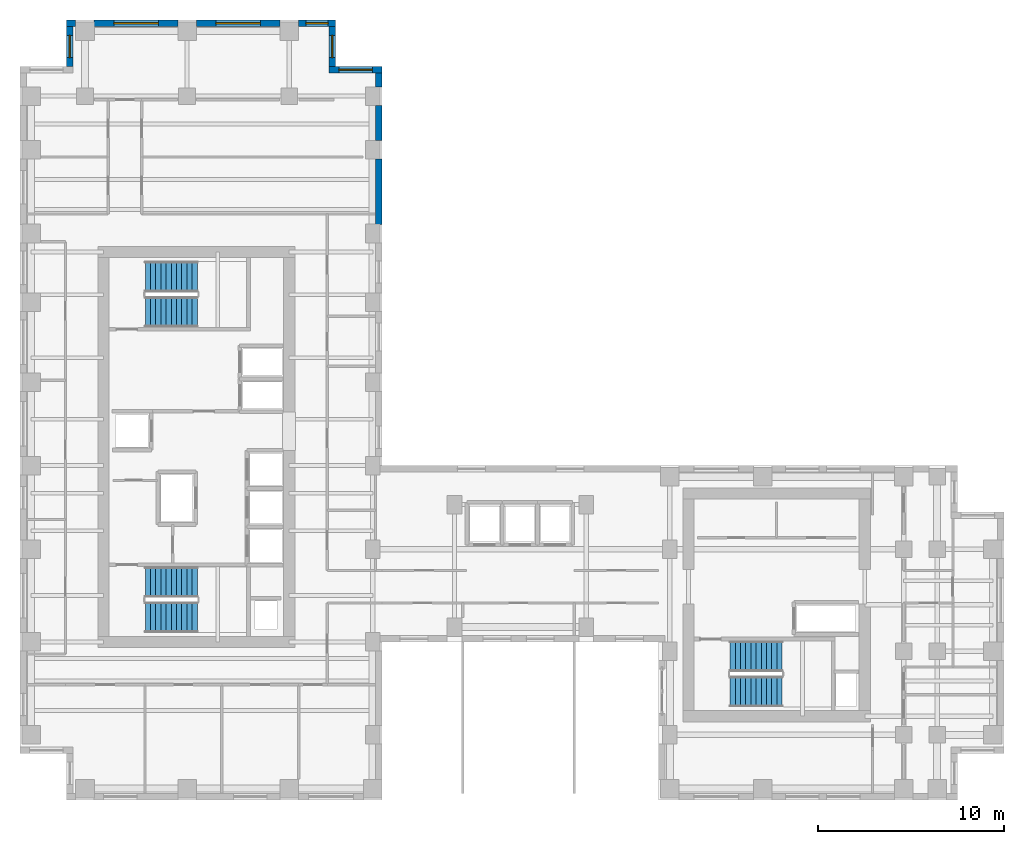
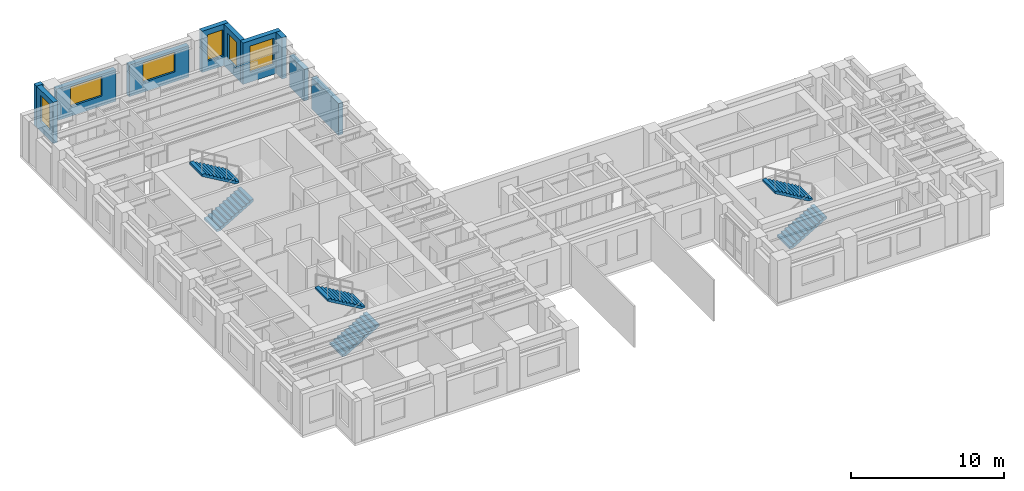
# One storey, part 10 of 12: 10 walls, 6 stair flights, 6 windows, 6 openings, 3 elements without a shape of their own.
"""IFC4 building model written with IfcOpenShell, lengths in metres."""

from ifc_helpers import new_model, si_unit, direction, frame, frame_2d, origin, place, context, subcontext, project, spatial, polyline, rectangle, outline, extrude, source, transform, mapped, material, layer, layer_set, type_object, element, fill, aggregate, save


model = new_model("IFC4")

# Units and contexts
model_context = context("Model", 3, precision=1e-05, world=origin(), true_north=direction((0.0, 1.0)))
body_context = subcontext(model_context, "Body", "Model", "MODEL_VIEW")
ifc_project = project(units=[si_unit("LENGTHUNIT", "METRE"), si_unit("AREAUNIT", "SQUARE_METRE"), si_unit("VOLUMEUNIT", "CUBIC_METRE"), si_unit("PLANEANGLEUNIT", "RADIAN"), si_unit("MASSUNIT", "GRAM", prefix="KILO")], contexts=[model_context])

# Site, building, storey
site_placement = place(None, origin())
site = spatial("IfcSite", under=ifc_project, at=site_placement, CompositionType="ELEMENT")
building_placement = place(site_placement, origin())
building = spatial("IfcBuilding", under=site, at=building_placement, Name="Kharzan Plaza Tower", CompositionType="ELEMENT")
storey_placement = place(building_placement, frame((0.0, 0.0, 204.300048828125)))
storey = spatial("IfcBuildingStorey", under=building, at=storey_placement, Name="L55", CompositionType="ELEMENT", Elevation=204.300048828125)

# Wall, opening, window
ifc_material_1 = material(Name="Concrete C40/50", Category="concrete")
ifc_layer = layer(ifc_material_1, 0.35009765625)
ifc_layer_set = layer_set([ifc_layer], Name="Concrete C40/50")
wall_type = type_object("IfcWallType", Name="WL-EXT-MAS-Z3", PredefinedType="SOLIDWALL", material=ifc_layer_set)
wall_1_placement = place(storey_placement, frame((19.5, 39.324951171875, 0.0), z_axis=(0.0, 0.0, 1.0), x_axis=(-1.0, 0.0, 0.0)))
wall_1 = element("IfcWall", 1, at=wall_1_placement, inside=storey, type_object=wall_type, Name="L55 Masonry-Frame Exterior Wall 01", PredefinedType="SOLIDWALL", context=body_context, shape_type="SweptSolid", body=[
    extrude(rectangle(XDim=2.85009765625, YDim=0.35009765625, at=frame_2d((1.425048828125, 0.0))), origin(), (0.0, 0.0, 1.0), 3.304931640625),
])
opening_1_placement = place(wall_1_placement, frame((0.52490234375, 0.0, 0.780029296875)))
opening_1 = element("IfcOpeningElement", 2, at=opening_1_placement, cuts=wall_1, Name="Opening W1", PredefinedType="OPENING", context=body_context, shape_type="SweptSolid", body=[
    extrude(rectangle(XDim=1.800048828125, YDim=2.10009765625, at=frame_2d((0.89990234375, 1.050048828125))), frame((0.0, 0.18505859375, 0.0), z_axis=(0.0, -1.0, 0.0), x_axis=(1.0, 0.0, 0.0)), (0.0, 0.0, 1.0), 0.3701171875),
])
ifc_material_2 = material(Name="Low-E Double Glazing", Category="glass")
window_type_1 = type_object("IfcWindowType", Name="WN-REC-1800x2100", PartitioningType="SINGLE_PANEL", PredefinedType="WINDOW", material=ifc_material_2)
shared_shape_1 = source(origin(), body_context, "Body", "SweptSolid", [
    extrude(rectangle(XDim=1.800048828125, YDim=2.10009765625, at=frame_2d((0.89990234375, 1.050048828125))), frame((0.0, 0.030029296875, 0.0), z_axis=(0.0, -1.0, 0.0), x_axis=(1.0, 0.0, 0.0)), (0.0, 0.0, 1.0), 0.06005859375),
])
window_1_placement = place(opening_1_placement, origin())
window_1 = element("IfcWindow", 3, at=window_1_placement, inside=storey, type_object=window_type_1, Name="L55 Recessed Solar-Control Window 01-1", OverallHeight=2.10009765625, OverallWidth=1.800048828125, PartitioningType="SINGLE_PANEL", PredefinedType="WINDOW", context=body_context, shape_type="MappedRepresentation", body=[
    mapped(shared_shape_1, transform((0.0, 0.0, 0.0), x_axis=(1.0, 0.0, 0.0), y_axis=(0.0, 1.0, 0.0), z_axis=(0.0, 0.0, 1.0))),
])
fill(opening_1, window_1)

wall_2_placement = place(storey_placement, frame((16.824951171875, 39.498046875, 0.0), z_axis=(0.0, 0.0, 1.0), x_axis=(0.0, 1.0, 0.0)))
wall_2 = element("IfcWall", 4, at=wall_2_placement, inside=storey, type_object=wall_type, Name="L55 Masonry-Frame Exterior Wall 02", PredefinedType="SOLIDWALL", context=body_context, shape_type="SweptSolid", body=[
    extrude(rectangle(XDim=2.154052734375, YDim=0.35009765625, at=frame_2d((1.0771484375, 0.0))), origin(), (0.0, 0.0, 1.0), 3.304931640625),
])
opening_2_placement = place(wall_2_placement, frame((0.47705078125, 0.0, 0.780029296875)))
opening_2 = element("IfcOpeningElement", 5, at=opening_2_placement, cuts=wall_2, Name="Opening W3", PredefinedType="OPENING", context=body_context, shape_type="SweptSolid", body=[
    extrude(rectangle(XDim=1.199951171875, YDim=2.10009765625, at=frame_2d((0.60009765625, 1.050048828125))), frame((0.0, 0.18505859375, 0.0), z_axis=(0.0, -1.0, 0.0), x_axis=(1.0, 0.0, 0.0)), (0.0, 0.0, 1.0), 0.3701171875),
])
window_type_2 = type_object("IfcWindowType", Name="WN-REC-1200x2100", PartitioningType="SINGLE_PANEL", PredefinedType="WINDOW", material=ifc_material_2)
shared_shape_2 = source(origin(), body_context, "Body", "SweptSolid", [
    extrude(rectangle(XDim=1.199951171875, YDim=2.10009765625, at=frame_2d((0.60009765625, 1.050048828125))), frame((0.0, 0.030029296875, 0.0), z_axis=(0.0, -1.0, 0.0), x_axis=(1.0, 0.0, 0.0)), (0.0, 0.0, 1.0), 0.06005859375),
])
window_2_placement = place(opening_2_placement, origin())
window_2 = element("IfcWindow", 6, at=window_2_placement, inside=storey, type_object=window_type_2, Name="L55 Recessed Solar-Control Window 02-1", OverallHeight=2.10009765625, OverallWidth=1.199951171875, PartitioningType="SINGLE_PANEL", PredefinedType="WINDOW", context=body_context, shape_type="MappedRepresentation", body=[
    mapped(shared_shape_2, transform((0.0, 0.0, 0.0), x_axis=(1.0, 0.0, 0.0), y_axis=(0.0, 1.0, 0.0), z_axis=(0.0, 0.0, 1.0))),
])
fill(opening_2, window_2)

wall_3_placement = place(storey_placement, frame((17.0, 41.824951171875, 0.0), z_axis=(0.0, 0.0, 1.0), x_axis=(-1.0, 0.0, 0.0)))
wall_3 = element("IfcWall", 7, at=wall_3_placement, inside=storey, type_object=wall_type, Name="L55 Masonry-Frame Exterior Wall 03", PredefinedType="SOLIDWALL", context=body_context, shape_type="SweptSolid", body=[
    extrude(rectangle(XDim=2.001953125, YDim=0.35009765625, at=frame_2d((1.0009765625, 0.0))), origin(), (0.0, 0.0, 1.0), 3.304931640625),
])
opening_3_placement = place(wall_3_placement, frame((0.40087890625, 0.0, 0.780029296875)))
opening_3 = element("IfcOpeningElement", 8, at=opening_3_placement, cuts=wall_3, Name="Opening W3", PredefinedType="OPENING", context=body_context, shape_type="SweptSolid", body=[
    extrude(rectangle(XDim=1.199951171875, YDim=2.10009765625, at=frame_2d((0.60009765625, 1.050048828125))), frame((0.0, 0.18505859375, 0.0), z_axis=(0.0, -1.0, 0.0), x_axis=(1.0, 0.0, 0.0)), (0.0, 0.0, 1.0), 0.3701171875),
])
window_3_placement = place(opening_3_placement, origin())
window_3 = element("IfcWindow", 9, at=window_3_placement, inside=storey, type_object=window_type_2, Name="L55 Recessed Solar-Control Window 03-1", OverallHeight=2.10009765625, OverallWidth=1.199951171875, PartitioningType="SINGLE_PANEL", PredefinedType="WINDOW", context=body_context, shape_type="MappedRepresentation", body=[
    mapped(shared_shape_2, transform((0.0, 0.0, 0.0), x_axis=(1.0, 0.0, 0.0), y_axis=(0.0, 1.0, 0.0), z_axis=(0.0, 0.0, 1.0))),
])
fill(opening_3, window_3)

wall_4_placement = place(storey_placement, frame((14.001953125, 41.824951171875, 0.0), z_axis=(0.0, 0.0, 1.0), x_axis=(-1.0, 0.0, 0.0)))
wall_4 = element("IfcWall", 10, at=wall_4_placement, inside=storey, type_object=wall_type, Name="L55 Masonry-Frame Exterior Wall 04", PredefinedType="SOLIDWALL", context=body_context, shape_type="SweptSolid", body=[
    extrude(rectangle(XDim=4.50390625, YDim=0.35009765625, at=frame_2d((2.251953125, 0.0))), origin(), (0.0, 0.0, 1.0), 2.531982421875),
])
opening_4_placement = place(wall_4_placement, frame((1.052001953125, 0.0, 0.780029296875)))
opening_4 = element("IfcOpeningElement", 11, at=opening_4_placement, cuts=wall_4, Name="Opening W2", PredefinedType="OPENING", context=body_context, shape_type="SweptSolid", body=[
    extrude(rectangle(XDim=2.39990234375, YDim=1.572021484375, at=frame_2d((1.199951171875, 0.7861328125))), frame((0.0, 0.18505859375, 0.0), z_axis=(0.0, -1.0, 0.0), x_axis=(1.0, 0.0, 0.0)), (0.0, 0.0, 1.0), 0.3701171875),
])
window_type_3 = type_object("IfcWindowType", Name="WN-REC-2400x2100", PartitioningType="SINGLE_PANEL", PredefinedType="WINDOW", material=ifc_material_2)
shared_shape_3 = source(origin(), body_context, "Body", "SweptSolid", [
    extrude(rectangle(XDim=2.39990234375, YDim=1.572021484375, at=frame_2d((1.199951171875, 0.7861328125))), frame((0.0, 0.030029296875, 0.0), z_axis=(0.0, -1.0, 0.0), x_axis=(1.0, 0.0, 0.0)), (0.0, 0.0, 1.0), 0.06005859375),
])
window_4_placement = place(opening_4_placement, origin())
window_4 = element("IfcWindow", 12, at=window_4_placement, inside=storey, type_object=window_type_3, Name="L55 Wide Recessed Solar-Control Window 04-1", OverallHeight=1.572021484375, OverallWidth=2.39990234375, PartitioningType="SINGLE_PANEL", PredefinedType="WINDOW", context=body_context, shape_type="MappedRepresentation", body=[
    mapped(shared_shape_3, transform((0.0, 0.0, 0.0), x_axis=(1.0, 0.0, 0.0), y_axis=(0.0, 1.0, 0.0), z_axis=(0.0, 0.0, 1.0))),
])
fill(opening_4, window_4)

wall_5_placement = place(storey_placement, frame((8.501953125, 41.824951171875, 0.0), z_axis=(0.0, 0.0, 1.0), x_axis=(-1.0, 0.0, 0.0)))
wall_5 = element("IfcWall", 13, at=wall_5_placement, inside=storey, type_object=wall_type, Name="L55 Masonry-Frame Exterior Wall 05", PredefinedType="SOLIDWALL", context=body_context, shape_type="SweptSolid", body=[
    extrude(rectangle(XDim=4.50390625, YDim=0.35009765625, at=frame_2d((2.251953125, 0.0))), origin(), (0.0, 0.0, 1.0), 2.531982421875),
])
opening_5_placement = place(wall_5_placement, frame((1.052001953125, 0.0, 0.780029296875)))
opening_5 = element("IfcOpeningElement", 14, at=opening_5_placement, cuts=wall_5, Name="Opening W2", PredefinedType="OPENING", context=body_context, shape_type="SweptSolid", body=[
    extrude(rectangle(XDim=2.39990234375, YDim=1.572021484375, at=frame_2d((1.199951171875, 0.7861328125))), frame((0.0, 0.18505859375, 0.0), z_axis=(0.0, -1.0, 0.0), x_axis=(1.0, 0.0, 0.0)), (0.0, 0.0, 1.0), 0.3701171875),
])
window_5_placement = place(opening_5_placement, origin())
window_5 = element("IfcWindow", 15, at=window_5_placement, inside=storey, type_object=window_type_3, Name="L55 Wide Recessed Solar-Control Window 05-1", OverallHeight=1.572021484375, OverallWidth=2.39990234375, PartitioningType="SINGLE_PANEL", PredefinedType="WINDOW", context=body_context, shape_type="MappedRepresentation", body=[
    mapped(shared_shape_3, transform((0.0, 0.0, 0.0), x_axis=(1.0, 0.0, 0.0), y_axis=(0.0, 1.0, 0.0), z_axis=(0.0, 0.0, 1.0))),
])
fill(opening_5, window_5)

wall_6_placement = place(storey_placement, frame((2.675048828125, 41.652099609375, 0.0), z_axis=(0.0, 0.0, 1.0), x_axis=(0.0, -1.0, 0.0)))
wall_6 = element("IfcWall", 16, at=wall_6_placement, inside=storey, type_object=wall_type, Name="L55 Masonry-Frame Exterior Wall 07", PredefinedType="SOLIDWALL", context=body_context, shape_type="SweptSolid", body=[
    extrude(rectangle(XDim=2.154052734375, YDim=0.35009765625, at=frame_2d((1.0771484375, 0.0))), origin(), (0.0, 0.0, 1.0), 3.304931640625),
])
opening_6_placement = place(wall_6_placement, frame((0.47705078125, 0.0, 0.780029296875)))
opening_6 = element("IfcOpeningElement", 17, at=opening_6_placement, cuts=wall_6, Name="Opening W3", PredefinedType="OPENING", context=body_context, shape_type="SweptSolid", body=[
    extrude(rectangle(XDim=1.199951171875, YDim=2.10009765625, at=frame_2d((0.60009765625, 1.050048828125))), frame((0.0, 0.18505859375, 0.0), z_axis=(0.0, -1.0, 0.0), x_axis=(1.0, 0.0, 0.0)), (0.0, 0.0, 1.0), 0.3701171875),
])
window_6_placement = place(opening_6_placement, origin())
window_6 = element("IfcWindow", 18, at=window_6_placement, inside=storey, type_object=window_type_2, Name="L55 Recessed Solar-Control Window 07-1", OverallHeight=2.10009765625, OverallWidth=1.199951171875, PartitioningType="SINGLE_PANEL", PredefinedType="WINDOW", context=body_context, shape_type="MappedRepresentation", body=[
    mapped(shared_shape_2, transform((0.0, 0.0, 0.0), x_axis=(1.0, 0.0, 0.0), y_axis=(0.0, 1.0, 0.0), z_axis=(0.0, 0.0, 1.0))),
])
fill(opening_6, window_6)

# Walls
shared_shape_4 = source(origin(), body_context, "Body", "SweptSolid", [
    extrude(rectangle(XDim=0.501953125, YDim=0.35009765625, at=frame_2d((0.2509765625, 0.0))), origin(), (0.0, 0.0, 1.0), 3.304931640625),
])
wall_7_placement = place(storey_placement, frame((3.001953125, 41.824951171875, 0.0), z_axis=(0.0, 0.0, 1.0), x_axis=(-1.0, 0.0, 0.0)))
element("IfcWall", 19, at=wall_7_placement, inside=storey, type_object=wall_type, Name="L55 Masonry-Frame Exterior Wall 06", PredefinedType="SOLIDWALL", context=body_context, shape_type="MappedRepresentation", body=[
    mapped(shared_shape_4, transform((0.0, 0.0, 0.0), x_axis=(1.0, 0.0, 0.0), y_axis=(0.0, 1.0, 0.0), z_axis=(0.0, 0.0, 1.0))),
])
shared_shape_5 = source(origin(), body_context, "Body", "SweptSolid", [
    extrude(rectangle(XDim=0.754150390625, YDim=0.35009765625, at=frame_2d((0.376953125, 0.0))), origin(), (0.0, 0.0, 1.0), 3.304931640625),
])
wall_8_placement = place(storey_placement, frame((19.324951171875, 38.39794921875, 0.0), z_axis=(0.0, 0.0, 1.0), x_axis=(0.0, 1.0, 0.0)))
element("IfcWall", 20, at=wall_8_placement, inside=storey, type_object=wall_type, Name="L55 Masonry-Frame Exterior Wall 53", PredefinedType="SOLIDWALL", context=body_context, shape_type="MappedRepresentation", body=[
    mapped(shared_shape_5, transform((0.0, 0.0, 0.0), x_axis=(1.0, 0.0, 0.0), y_axis=(0.0, 1.0, 0.0), z_axis=(0.0, 0.0, 1.0))),
])
shared_shape_6 = source(origin(), body_context, "Body", "SweptSolid", [
    extrude(rectangle(XDim=1.904052734375, YDim=0.35009765625, at=frame_2d((0.9521484375, 0.0))), origin(), (0.0, 0.0, 1.0), 2.531982421875),
])
wall_9_placement = place(storey_placement, frame((19.324951171875, 35.498046875, 0.0), z_axis=(0.0, 0.0, 1.0), x_axis=(0.0, 1.0, 0.0)))
element("IfcWall", 21, at=wall_9_placement, inside=storey, type_object=wall_type, Name="L55 Masonry-Frame Exterior Wall 52", PredefinedType="SOLIDWALL", context=body_context, shape_type="MappedRepresentation", body=[
    mapped(shared_shape_6, transform((0.0, 0.0, 0.0), x_axis=(1.0, 0.0, 0.0), y_axis=(0.0, 1.0, 0.0), z_axis=(0.0, 0.0, 1.0))),
])
shared_shape_7 = source(origin(), body_context, "Body", "SweptSolid", [
    extrude(rectangle(XDim=3.50390625, YDim=0.35009765625, at=frame_2d((1.751953125, 0.0))), origin(), (0.0, 0.0, 1.0), 2.531982421875),
])
wall_10_placement = place(storey_placement, frame((19.324951171875, 30.998046875, 0.0), z_axis=(0.0, 0.0, 1.0), x_axis=(0.0, 1.0, 0.0)))
element("IfcWall", 22, at=wall_10_placement, inside=storey, type_object=wall_type, Name="L55 Masonry-Frame Exterior Wall 51", PredefinedType="SOLIDWALL", context=body_context, shape_type="MappedRepresentation", body=[
    mapped(shared_shape_7, transform((0.0, 0.0, 0.0), x_axis=(1.0, 0.0, 0.0), y_axis=(0.0, 1.0, 0.0), z_axis=(0.0, 0.0, 1.0))),
])

# Stair, stair flights
stair_type_1 = type_object("IfcStairType", Name="STR-ST-1", PredefinedType="HALF_TURN_STAIR", material=ifc_material_1)
stair_1_placement = place(storey_placement, origin())
stair_1 = element("IfcStair", 23, at=stair_1_placement, inside=storey, type_object=stair_type_1, Name="L55 Protected Exit Stair ST-1", PredefinedType="HALF_TURN_STAIR")
stair_flight_type = type_object("IfcStairFlightType", Name="SFL-1650-R173", PredefinedType="STRAIGHT", material=ifc_material_1)
shared_shape_8 = source(origin(), body_context, "Body", "SweptSolid", [
    extrude(outline(polyline([(-0.0029296875, -0.011962890625), (-0.0029296875, 0.0), (0.0, 0.0), (0.0, 0.16357421875), (0.280029296875, 0.16357421875), (0.280029296875, 0.3271484375), (0.56005859375, 0.3271484375), (0.56005859375, 0.49072265625), (0.840087890625, 0.49072265625), (0.840087890625, 0.654296875), (1.1201171875, 0.654296875), (1.1201171875, 0.81787109375), (1.400146484375, 0.81787109375), (1.400146484375, 0.9814453125), (1.68017578125, 0.9814453125), (1.68017578125, 1.14501953125), (1.960205078125, 1.14501953125), (1.960205078125, 1.30859375), (2.240234375, 1.30859375), (2.240234375, 1.47216796875), (2.520263671875, 1.47216796875), (2.520263671875, 1.6357421875), (2.80029296875, 1.6357421875), (2.80029296875, 1.79931640625), (2.80029296875, 1.462158203125), (0.297119140625, 0.0), (0.297119140625, -0.011962890625), (-0.0029296875, -0.011962890625)])), frame((0.0, 0.824951171875, 0.0), z_axis=(0.0, -1.0, 0.0), x_axis=(1.0, 0.0, 0.0)), (0.0, 0.0, 1.0), 1.64990234375),
])
stair_flight_1_placement = place(storey_placement, frame((6.75, 9.824951171875, 0.0), z_axis=(0.0, 0.0, 1.0), x_axis=(1.0, 0.0, 0.0)))
stair_flight_1 = element("IfcStairFlight", 24, at=stair_flight_1_placement, type_object=stair_flight_type, Name="ST-1 flight 1", NumberOfRisers=11, NumberOfTreads=10, PredefinedType="STRAIGHT", RiserHeight=0.163636364, TreadLength=0.28, context=body_context, shape_type="MappedRepresentation", body=[
    mapped(shared_shape_8, transform((0.0, 0.0, 0.0), x_axis=(1.0, 0.0, 0.0), y_axis=(0.0, 1.0, 0.0), z_axis=(0.0, 0.0, 1.0))),
])
stair_flight_2_placement = place(storey_placement, frame((9.550048828125, 11.72509765625, 1.800048828125), z_axis=(0.0, 0.0, 1.0), x_axis=(-1.0, 0.0, 0.0)))
stair_flight_2 = element("IfcStairFlight", 25, at=stair_flight_2_placement, type_object=stair_flight_type, Name="ST-1 flight 2", NumberOfRisers=11, NumberOfTreads=10, PredefinedType="STRAIGHT", RiserHeight=0.163636364, TreadLength=0.28, context=body_context, shape_type="MappedRepresentation", body=[
    mapped(shared_shape_8, transform((0.0, 0.0, 0.0), x_axis=(1.0, 0.0, 0.0), y_axis=(0.0, 1.0, 0.0), z_axis=(0.0, 0.0, 1.0))),
])
aggregate(stair_1, [stair_flight_1, stair_flight_2])

stair_type_2 = type_object("IfcStairType", Name="STR-ST-2", PredefinedType="HALF_TURN_STAIR", material=ifc_material_1)
stair_2_placement = place(storey_placement, origin())
stair_2 = element("IfcStair", 26, at=stair_2_placement, inside=storey, type_object=stair_type_2, Name="L55 Protected Exit Stair ST-2", PredefinedType="HALF_TURN_STAIR")
stair_flight_3_placement = place(storey_placement, frame((6.75, 26.27490234375, 0.0), z_axis=(0.0, 0.0, 1.0), x_axis=(1.0, 0.0, 0.0)))
stair_flight_3 = element("IfcStairFlight", 27, at=stair_flight_3_placement, type_object=stair_flight_type, Name="ST-2 flight 1", NumberOfRisers=11, NumberOfTreads=10, PredefinedType="STRAIGHT", RiserHeight=0.163636364, TreadLength=0.28, context=body_context, shape_type="MappedRepresentation", body=[
    mapped(shared_shape_8, transform((0.0, 0.0, 0.0), x_axis=(1.0, 0.0, 0.0), y_axis=(0.0, 1.0, 0.0), z_axis=(0.0, 0.0, 1.0))),
])
stair_flight_4_placement = place(storey_placement, frame((9.550048828125, 28.175048828125, 1.800048828125), z_axis=(0.0, 0.0, 1.0), x_axis=(-1.0, 0.0, 0.0)))
stair_flight_4 = element("IfcStairFlight", 28, at=stair_flight_4_placement, type_object=stair_flight_type, Name="ST-2 flight 2", NumberOfRisers=11, NumberOfTreads=10, PredefinedType="STRAIGHT", RiserHeight=0.163636364, TreadLength=0.28, context=body_context, shape_type="MappedRepresentation", body=[
    mapped(shared_shape_8, transform((0.0, 0.0, 0.0), x_axis=(1.0, 0.0, 0.0), y_axis=(0.0, 1.0, 0.0), z_axis=(0.0, 0.0, 1.0))),
])
aggregate(stair_2, [stair_flight_3, stair_flight_4])

stair_type_3 = type_object("IfcStairType", Name="STR-ST-3", PredefinedType="HALF_TURN_STAIR", material=ifc_material_1)
stair_3_placement = place(storey_placement, origin())
stair_3 = element("IfcStair", 29, at=stair_3_placement, inside=storey, type_object=stair_type_3, Name="L55 Protected Exit Stair ST-3", PredefinedType="HALF_TURN_STAIR")
stair_flight_5_placement = place(storey_placement, frame((38.25, 5.824951171875, 0.0), z_axis=(0.0, 0.0, 1.0), x_axis=(1.0, 0.0, 0.0)))
stair_flight_5 = element("IfcStairFlight", 30, at=stair_flight_5_placement, type_object=stair_flight_type, Name="ST-3 flight 1", NumberOfRisers=11, NumberOfTreads=10, PredefinedType="STRAIGHT", RiserHeight=0.163636364, TreadLength=0.28, context=body_context, shape_type="MappedRepresentation", body=[
    mapped(shared_shape_8, transform((0.0, 0.0, 0.0), x_axis=(1.0, 0.0, 0.0), y_axis=(0.0, 1.0, 0.0), z_axis=(0.0, 0.0, 1.0))),
])
stair_flight_6_placement = place(storey_placement, frame((41.050048828125, 7.72509765625, 1.800048828125), z_axis=(0.0, 0.0, 1.0), x_axis=(-1.0, 0.0, 0.0)))
stair_flight_6 = element("IfcStairFlight", 31, at=stair_flight_6_placement, type_object=stair_flight_type, Name="ST-3 flight 2", NumberOfRisers=11, NumberOfTreads=10, PredefinedType="STRAIGHT", RiserHeight=0.163636364, TreadLength=0.28, context=body_context, shape_type="MappedRepresentation", body=[
    mapped(shared_shape_8, transform((0.0, 0.0, 0.0), x_axis=(1.0, 0.0, 0.0), y_axis=(0.0, 1.0, 0.0), z_axis=(0.0, 0.0, 1.0))),
])
aggregate(stair_3, [stair_flight_5, stair_flight_6])

save(model, "model.ifc")
